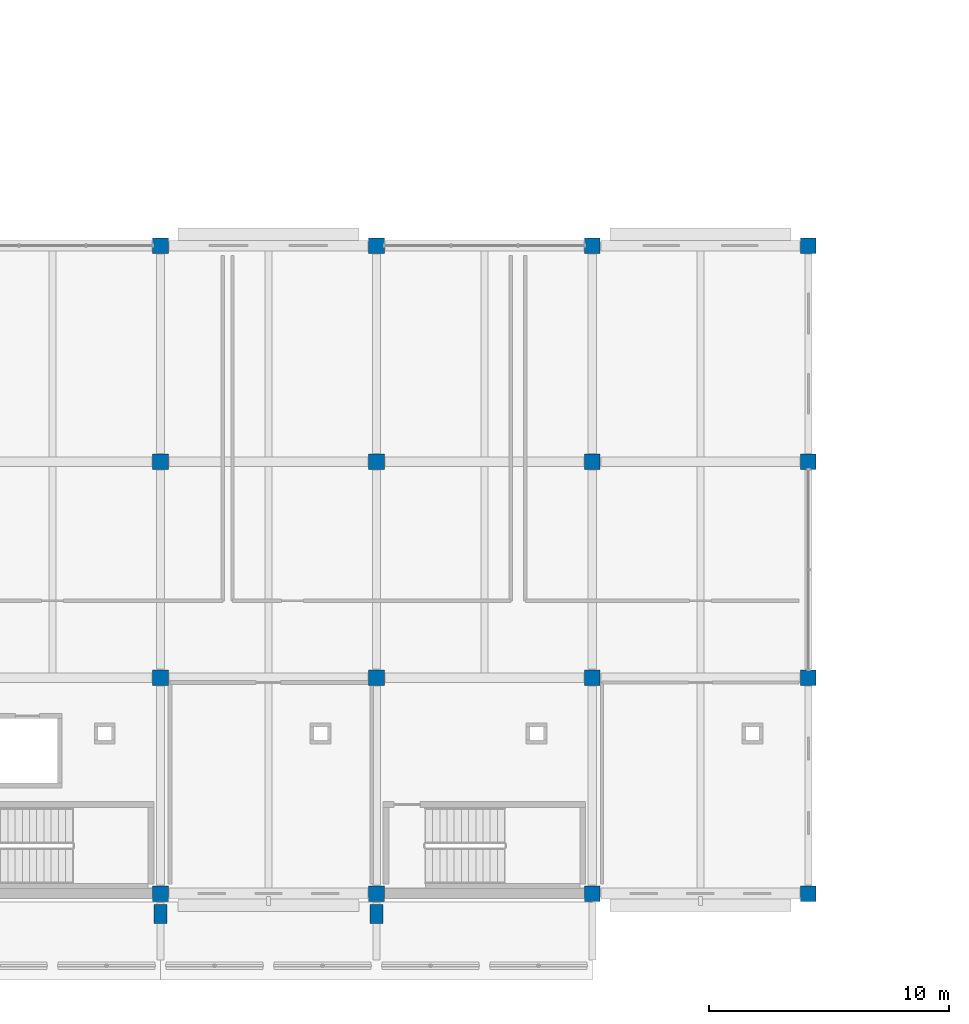
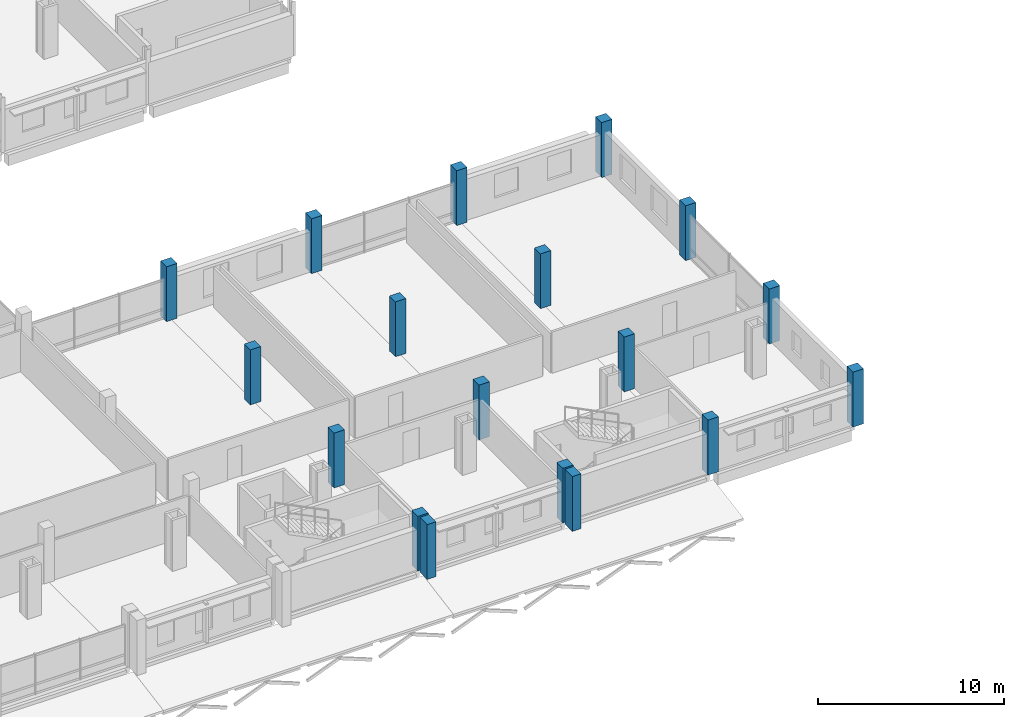
# One storey, part 4 of 132: 18 columns.
"""IFC4 building model written with IfcOpenShell, lengths in metres."""

from ifc_helpers import new_model, si_unit, direction, frame, origin, origin_2d, place, context, subcontext, project, spatial, rectangle, extrude, material, material_profile, profile_set, type_object, element, save


model = new_model("IFC4")

# Units and contexts
model_context = context("Model", 3, precision=1e-05, world=origin(), true_north=direction((0.0, 1.0)))
body_context = subcontext(model_context, "Body", "Model", "MODEL_VIEW")
ifc_project = project(units=[si_unit("LENGTHUNIT", "METRE"), si_unit("AREAUNIT", "SQUARE_METRE"), si_unit("VOLUMEUNIT", "CUBIC_METRE"), si_unit("PLANEANGLEUNIT", "RADIAN"), si_unit("MASSUNIT", "GRAM", prefix="KILO")], contexts=[model_context])

# Site, building, storey
site_placement = place(None, origin())
site = spatial("IfcSite", under=ifc_project, at=site_placement, CompositionType="ELEMENT")
building_placement = place(site_placement, origin())
building = spatial("IfcBuilding", under=site, at=building_placement, Name="Tharagai Park Tramway Depot", CompositionType="ELEMENT")
storey_placement = place(building_placement, frame((0.0, 0.0, 4.800048828125)))
storey = spatial("IfcBuildingStorey", under=building, at=storey_placement, Name="L01", CompositionType="ELEMENT", Elevation=4.800048828125)

# Columns
ifc_material = material(Name="Concrete M40", Category="concrete")
ifc_material_profile_1 = material_profile(ifc_material, rectangle(XDim=0.64990234375, YDim=0.64990234375, at=origin_2d()), Name="RC 650x650")
ifc_profile_set_1 = profile_set([ifc_material_profile_1], Name="Concrete M40")
column_type_1 = type_object("IfcColumnType", Name="CL-12", PredefinedType="COLUMN", material=ifc_profile_set_1)
for number, where, z_axis, x_axis, name in (
    (1, (72.0, 0.0, 0.0), (0.0, 0.0, 1.0), (1.0, 0.0, 0.0), "L01 Structural Column CL-12 (72,0)"),
    (2, (72.0, 9.0, 0.0), (0.0, 0.0, 1.0), (1.0, 0.0, 0.0), "L01 Structural Column CL-12 (72,9)"),
    (3, (72.0, 18.0, 0.0), (0.0, 0.0, 1.0), (1.0, 0.0, 0.0), "L01 Structural Column CL-12 (72,18)"),
    (4, (72.0, 27.0, 0.0), (0.0, 0.0, 1.0), (1.0, 0.0, 0.0), "L01 Structural Column CL-12 (72,27)"),
    (5, (81.0, 0.0, 0.0), (0.0, 0.0, 1.0), (1.0, 0.0, 0.0), "L01 Structural Column CL-12 (81,0)"),
    (6, (81.0, 9.0, 0.0), (0.0, 0.0, 1.0), (1.0, 0.0, 0.0), "L01 Structural Column CL-12 (81,9)"),
    (7, (81.0, 18.0, 0.0), (0.0, 0.0, 1.0), (1.0, 0.0, 0.0), "L01 Structural Column CL-12 (81,18)"),
    (8, (81.0, 27.0, 0.0), (0.0, 0.0, 1.0), (1.0, 0.0, 0.0), "L01 Structural Column CL-12 (81,27)"),
    (9, (90.0, 0.0, 0.0), (0.0, 0.0, 1.0), (1.0, 0.0, 0.0), "L01 Structural Column CL-12 (90,0)"),
    (10, (90.0, 9.0, 0.0), (0.0, 0.0, 1.0), (1.0, 0.0, 0.0), "L01 Structural Column CL-12 (90,9)"),
    (11, (90.0, 18.0, 0.0), (0.0, 0.0, 1.0), (1.0, 0.0, 0.0), "L01 Structural Column CL-12 (90,18)"),
    (12, (90.0, 27.0, 0.0), (0.0, 0.0, 1.0), (1.0, 0.0, 0.0), "L01 Structural Column CL-12 (90,27)"),
    (13, (99.0, 0.0, 0.0), (0.0, 0.0, 1.0), (1.0, 0.0, 0.0), "L01 Structural Column CL-12 (99,0)"),
    (14, (99.0, 9.0, 0.0), (0.0, 0.0, 1.0), (1.0, 0.0, 0.0), "L01 Structural Column CL-12 (99,9)"),
    (15, (99.0, 18.0, 0.0), (0.0, 0.0, 1.0), (1.0, 0.0, 0.0), "L01 Structural Column CL-12 (99,18)"),
    (16, (99.0, 27.0, 0.0), (0.0, 0.0, 1.0), (1.0, 0.0, 0.0), "L01 Structural Column CL-12 (99,27)"),
):
    element("IfcColumn", number, at=place(storey_placement, frame(where, z_axis=z_axis, x_axis=x_axis)), inside=storey, type_object=column_type_1, Name=name, PredefinedType="COLUMN", context=body_context, shape_type="SweptSolid", body=[
        extrude(rectangle(XDim=0.64990234375, YDim=0.64990234375, at=origin_2d()), origin(), (0.0, 0.0, 1.0), 3.599853515625),
    ])
ifc_material_profile_2 = material_profile(ifc_material, rectangle(XDim=0.550048828125, YDim=0.800048828125, at=origin_2d()), Name="RC 550x800")
ifc_profile_set_2 = profile_set([ifc_material_profile_2], Name="Concrete M40")
column_type_2 = type_object("IfcColumnType", Name="PL-02", PredefinedType="PILASTER", material=ifc_profile_set_2)
for number, where, z_axis, x_axis, name in (
    (17, (72.0, -0.85009765625, 0.0), (0.0, 0.0, 1.0), (1.0, 0.0, 0.0), "L01 Stepped Gothic Buttress PL-02 S4-072"),
    (18, (81.0, -0.85009765625, 0.0), (0.0, 0.0, 1.0), (1.0, 0.0, 0.0), "L01 Stepped Gothic Buttress PL-02 S4-081"),
):
    element("IfcColumn", number, at=place(storey_placement, frame(where, z_axis=z_axis, x_axis=x_axis)), inside=storey, type_object=column_type_2, Name=name, PredefinedType="PILASTER", context=body_context, shape_type="SweptSolid", body=[
        extrude(rectangle(XDim=0.550048828125, YDim=0.800048828125, at=origin_2d()), origin(), (0.0, 0.0, 1.0), 3.599853515625),
    ])

save(model, "model.ifc")
